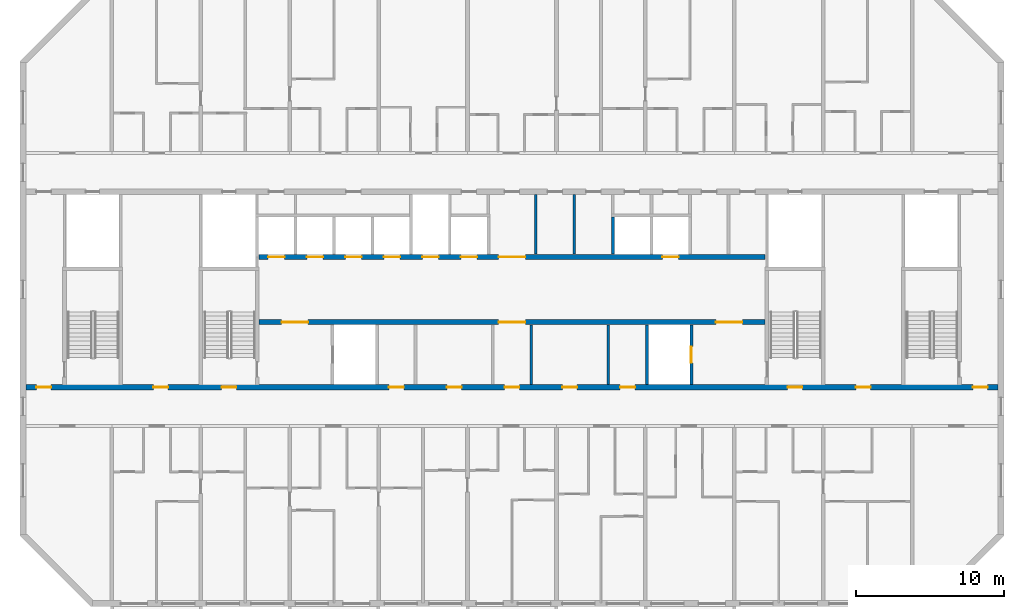
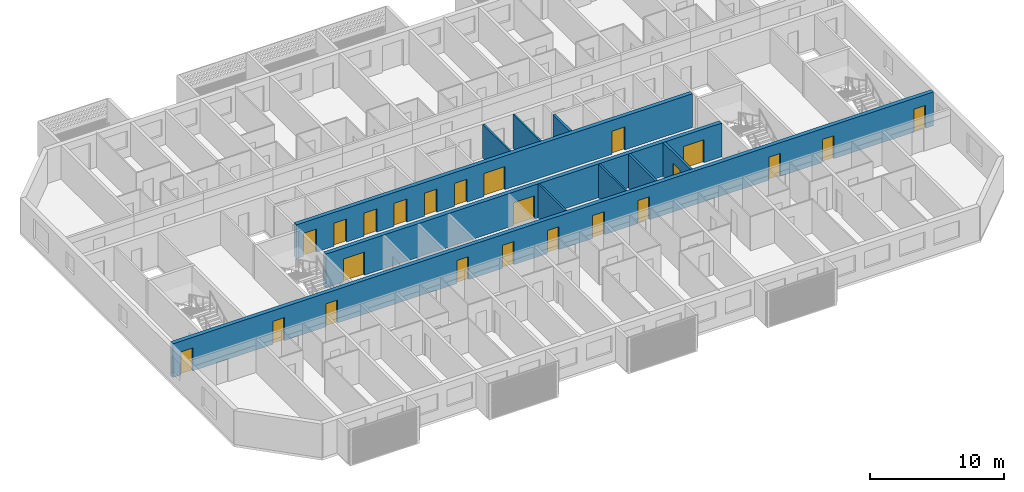
# One storey, part 6 of 29: 23 doors, 10 walls, 23 openings.
"""IFC4 building model written with IfcOpenShell, lengths in metres."""

from ifc_helpers import new_model, si_unit, direction, frame, frame_2d, origin, place, context, subcontext, project, spatial, rectangle, extrude, material, layer, layer_set, type_object, element, fill, save


model = new_model("IFC4")

# Units and contexts
model_context = context("Model", 3, precision=1e-05, world=origin(), true_north=direction((0.0, 1.0)))
body_context = subcontext(model_context, "Body", "Model", "MODEL_VIEW")
ifc_project = project(units=[si_unit("LENGTHUNIT", "METRE"), si_unit("AREAUNIT", "SQUARE_METRE"), si_unit("VOLUMEUNIT", "CUBIC_METRE"), si_unit("PLANEANGLEUNIT", "RADIAN"), si_unit("MASSUNIT", "GRAM", prefix="KILO")], contexts=[model_context])

# Site, building, storey
site_placement = place(None, origin())
site = spatial("IfcSite", under=ifc_project, at=site_placement, CompositionType="ELEMENT")
building_placement = place(site_placement, origin())
building = spatial("IfcBuilding", under=site, at=building_placement, Name="Poui Terraces", CompositionType="ELEMENT")
storey_placement = place(building_placement, frame((0.0, 0.0, 234.60009765625)))
storey = spatial("IfcBuildingStorey", under=building, at=storey_placement, Name="L65", CompositionType="ELEMENT", Elevation=234.60009765625)

# Wall, openings, doors
ifc_material_1 = material(Name="Concrete 50 MPa", Category="concrete")
ifc_layer_1 = layer(ifc_material_1, 0.35009765625)
ifc_layer_set_1 = layer_set([ifc_layer_1], Name="Concrete 50 MPa")
wall_type_1 = type_object("IfcWallType", Name="CORE WALL 350 50 MPA", PredefinedType="SOLIDWALL", material=ifc_layer_set_1)
wall_1_placement = place(storey_placement, frame((33.925048828125, 19.0, 0.0), z_axis=(0.0, 0.0, 1.0), x_axis=(1.0, 0.0, 0.0)))
wall_1 = element("IfcWall", 1, at=wall_1_placement, inside=storey, type_object=wall_type_1, Name="CORE WALL", PredefinedType="SOLIDWALL", context=body_context, shape_type="SweptSolid", body=[
    extrude(rectangle(XDim=34.14990234375, YDim=0.35009765625, at=frame_2d((17.074951171875, 0.0))), origin(), (0.0, 0.0, 1.0), 3.079833984375),
])
opening_1_placement = place(wall_1_placement, frame((16.175048828125, 0.0, 0.0)))
opening_1 = element("IfcOpeningElement", 2, at=opening_1_placement, cuts=wall_1, Name="Opening FDD60", PredefinedType="OPENING", context=body_context, shape_type="SweptSolid", body=[
    extrude(rectangle(XDim=1.800048828125, YDim=2.10009765625, at=frame_2d((0.89990234375, 1.050048828125))), frame((0.0, 0.18505859375, 0.0), z_axis=(0.0, -1.0, 0.0), x_axis=(1.0, 0.0, 0.0)), (0.0, 0.0, 1.0), 0.3701171875),
])
opening_2_placement = place(wall_1_placement, frame((1.52490234375, 0.0, 0.0)))
opening_2 = element("IfcOpeningElement", 3, at=opening_2_placement, cuts=wall_1, Name="Opening FDD60", PredefinedType="OPENING", context=body_context, shape_type="SweptSolid", body=[
    extrude(rectangle(XDim=1.800048828125, YDim=2.10009765625, at=frame_2d((0.89990234375, 1.050048828125))), frame((0.0, 0.18505859375, 0.0), z_axis=(0.0, -1.0, 0.0), x_axis=(1.0, 0.0, 0.0)), (0.0, 0.0, 1.0), 0.3701171875),
])
opening_3_placement = place(wall_1_placement, frame((30.824951171875, 0.0, 0.0)))
opening_3 = element("IfcOpeningElement", 4, at=opening_3_placement, cuts=wall_1, Name="Opening FDD60", PredefinedType="OPENING", context=body_context, shape_type="SweptSolid", body=[
    extrude(rectangle(XDim=1.800048828125, YDim=2.10009765625, at=frame_2d((0.89990234375, 1.050048828125))), frame((0.0, 0.18505859375, 0.0), z_axis=(0.0, -1.0, 0.0), x_axis=(1.0, 0.0, 0.0)), (0.0, 0.0, 1.0), 0.3701171875),
])
ifc_material_2 = material(Name="Steel fire door", Category="steel")
door_type_1 = type_object("IfcDoorType", Name="DOUBLE LOBBY FIRE DOOR 1800 X 2100", OperationType="DOUBLE_DOOR_SINGLE_SWING", PredefinedType="DOOR", material=ifc_material_2)
door_1_placement = place(opening_1_placement, frame((1.800048828125, 0.0, 0.0), z_axis=(0.0, 0.0, 1.0), x_axis=(-1.0, 0.0, 0.0)))
door_1 = element("IfcDoor", 5, at=door_1_placement, inside=storey, type_object=door_type_1, Name="DOUBLE LOBBY FIRE DOOR 105", OperationType="DOUBLE_DOOR_SINGLE_SWING", OverallHeight=2.10009765625, OverallWidth=1.800048828125, PredefinedType="DOOR", context=body_context, shape_type="SweptSolid", body=[
    extrude(rectangle(XDim=1.800048828125, YDim=2.10009765625, at=frame_2d((0.89990234375, 1.050048828125))), frame((0.0, 0.02490234375, 0.0), z_axis=(0.0, -1.0, 0.0), x_axis=(1.0, 0.0, 0.0)), (0.0, 0.0, 1.0), 0.050048828125),
])
fill(opening_1, door_1)
door_2_placement = place(opening_2_placement, origin())
door_2 = element("IfcDoor", 6, at=door_2_placement, inside=storey, type_object=door_type_1, Name="DOUBLE LOBBY FIRE DOOR 107", OperationType="DOUBLE_DOOR_SINGLE_SWING", OverallHeight=2.10009765625, OverallWidth=1.800048828125, PredefinedType="DOOR", context=body_context, shape_type="SweptSolid", body=[
    extrude(rectangle(XDim=1.800048828125, YDim=2.10009765625, at=frame_2d((0.89990234375, 1.050048828125))), frame((0.0, 0.02490234375, 0.0), z_axis=(0.0, -1.0, 0.0), x_axis=(1.0, 0.0, 0.0)), (0.0, 0.0, 1.0), 0.050048828125),
])
fill(opening_2, door_2)
door_3_placement = place(opening_3_placement, origin())
door_3 = element("IfcDoor", 7, at=door_3_placement, inside=storey, type_object=door_type_1, Name="DOUBLE LOBBY FIRE DOOR 114", OperationType="DOUBLE_DOOR_SINGLE_SWING", OverallHeight=2.10009765625, OverallWidth=1.800048828125, PredefinedType="DOOR", context=body_context, shape_type="SweptSolid", body=[
    extrude(rectangle(XDim=1.800048828125, YDim=2.10009765625, at=frame_2d((0.89990234375, 1.050048828125))), frame((0.0, 0.02490234375, 0.0), z_axis=(0.0, -1.0, 0.0), x_axis=(1.0, 0.0, 0.0)), (0.0, 0.0, 1.0), 0.050048828125),
])
fill(opening_3, door_3)

wall_2_placement = place(storey_placement, frame((33.925048828125, 23.39990234375, 0.0), z_axis=(0.0, 0.0, 1.0), x_axis=(1.0, 0.0, 0.0)))
wall_2 = element("IfcWall", 8, at=wall_2_placement, inside=storey, type_object=wall_type_1, Name="CORE WALL", PredefinedType="SOLIDWALL", context=body_context, shape_type="SweptSolid", body=[
    extrude(rectangle(XDim=34.14990234375, YDim=0.35009765625, at=frame_2d((17.074951171875, 0.0))), origin(), (0.0, 0.0, 1.0), 3.079833984375),
])
opening_4_placement = place(wall_2_placement, frame((16.175048828125, 0.0, 0.0)))
opening_4 = element("IfcOpeningElement", 9, at=opening_4_placement, cuts=wall_2, Name="Opening FDD60", PredefinedType="OPENING", context=body_context, shape_type="SweptSolid", body=[
    extrude(rectangle(XDim=1.800048828125, YDim=2.10009765625, at=frame_2d((0.89990234375, 1.050048828125))), frame((0.0, 0.18505859375, 0.0), z_axis=(0.0, -1.0, 0.0), x_axis=(1.0, 0.0, 0.0)), (0.0, 0.0, 1.0), 0.3701171875),
])
opening_5_placement = place(wall_2_placement, frame((0.625, 0.0, 0.0)))
opening_5 = element("IfcOpeningElement", 10, at=opening_5_placement, cuts=wall_2, Name="Opening LD", PredefinedType="OPENING", context=body_context, shape_type="SweptSolid", body=[
    extrude(rectangle(XDim=1.10009765625, YDim=2.10009765625, at=frame_2d((0.550048828125, 1.050048828125))), frame((0.0, 0.18505859375, 0.0), z_axis=(0.0, -1.0, 0.0), x_axis=(1.0, 0.0, 0.0)), (0.0, 0.0, 1.0), 0.3701171875),
])
opening_6_placement = place(wall_2_placement, frame((3.22509765625, 0.0, 0.0)))
opening_6 = element("IfcOpeningElement", 11, at=opening_6_placement, cuts=wall_2, Name="Opening LD", PredefinedType="OPENING", context=body_context, shape_type="SweptSolid", body=[
    extrude(rectangle(XDim=1.10009765625, YDim=2.10009765625, at=frame_2d((0.550048828125, 1.050048828125))), frame((0.0, 0.18505859375, 0.0), z_axis=(0.0, -1.0, 0.0), x_axis=(1.0, 0.0, 0.0)), (0.0, 0.0, 1.0), 0.3701171875),
])
opening_7_placement = place(wall_2_placement, frame((5.824951171875, 0.0, 0.0)))
opening_7 = element("IfcOpeningElement", 12, at=opening_7_placement, cuts=wall_2, Name="Opening LD", PredefinedType="OPENING", context=body_context, shape_type="SweptSolid", body=[
    extrude(rectangle(XDim=1.10009765625, YDim=2.10009765625, at=frame_2d((0.550048828125, 1.050048828125))), frame((0.0, 0.18505859375, 0.0), z_axis=(0.0, -1.0, 0.0), x_axis=(1.0, 0.0, 0.0)), (0.0, 0.0, 1.0), 0.3701171875),
])
opening_8_placement = place(wall_2_placement, frame((8.425048828125, 0.0, 0.0)))
opening_8 = element("IfcOpeningElement", 13, at=opening_8_placement, cuts=wall_2, Name="Opening LD", PredefinedType="OPENING", context=body_context, shape_type="SweptSolid", body=[
    extrude(rectangle(XDim=1.10009765625, YDim=2.10009765625, at=frame_2d((0.550048828125, 1.050048828125))), frame((0.0, 0.18505859375, 0.0), z_axis=(0.0, -1.0, 0.0), x_axis=(1.0, 0.0, 0.0)), (0.0, 0.0, 1.0), 0.3701171875),
])
opening_9_placement = place(wall_2_placement, frame((11.02490234375, 0.0, 0.0)))
opening_9 = element("IfcOpeningElement", 14, at=opening_9_placement, cuts=wall_2, Name="Opening LD", PredefinedType="OPENING", context=body_context, shape_type="SweptSolid", body=[
    extrude(rectangle(XDim=1.10009765625, YDim=2.10009765625, at=frame_2d((0.550048828125, 1.050048828125))), frame((0.0, 0.18505859375, 0.0), z_axis=(0.0, -1.0, 0.0), x_axis=(1.0, 0.0, 0.0)), (0.0, 0.0, 1.0), 0.3701171875),
])
opening_10_placement = place(wall_2_placement, frame((13.625, 0.0, 0.0)))
opening_10 = element("IfcOpeningElement", 15, at=opening_10_placement, cuts=wall_2, Name="Opening LD", PredefinedType="OPENING", context=body_context, shape_type="SweptSolid", body=[
    extrude(rectangle(XDim=1.10009765625, YDim=2.10009765625, at=frame_2d((0.550048828125, 1.050048828125))), frame((0.0, 0.18505859375, 0.0), z_axis=(0.0, -1.0, 0.0), x_axis=(1.0, 0.0, 0.0)), (0.0, 0.0, 1.0), 0.3701171875),
])
opening_11_placement = place(wall_2_placement, frame((27.22509765625, 0.0, 0.0)))
opening_11 = element("IfcOpeningElement", 16, at=opening_11_placement, cuts=wall_2, Name="Opening LD", PredefinedType="OPENING", context=body_context, shape_type="SweptSolid", body=[
    extrude(rectangle(XDim=1.10009765625, YDim=2.10009765625, at=frame_2d((0.550048828125, 1.050048828125))), frame((0.0, 0.18505859375, 0.0), z_axis=(0.0, -1.0, 0.0), x_axis=(1.0, 0.0, 0.0)), (0.0, 0.0, 1.0), 0.3701171875),
])
door_4_placement = place(opening_4_placement, origin())
door_4 = element("IfcDoor", 17, at=door_4_placement, inside=storey, type_object=door_type_1, Name="DOUBLE LOBBY FIRE DOOR 104", OperationType="DOUBLE_DOOR_SINGLE_SWING", OverallHeight=2.10009765625, OverallWidth=1.800048828125, PredefinedType="DOOR", context=body_context, shape_type="SweptSolid", body=[
    extrude(rectangle(XDim=1.800048828125, YDim=2.10009765625, at=frame_2d((0.89990234375, 1.050048828125))), frame((0.0, 0.02490234375, 0.0), z_axis=(0.0, -1.0, 0.0), x_axis=(1.0, 0.0, 0.0)), (0.0, 0.0, 1.0), 0.050048828125),
])
fill(opening_4, door_4)
ifc_material_3 = material(Name="Stainless steel sliding door", Category="steel")
door_type_2 = type_object("IfcDoorType", Name="LIFT LANDING DOOR 1100 X 2100", OperationType="DOUBLE_DOOR_SLIDING", PredefinedType="DOOR", material=ifc_material_3)
door_5_placement = place(opening_5_placement, origin())
door_5 = element("IfcDoor", 18, at=door_5_placement, inside=storey, type_object=door_type_2, Name="LANDING DOOR", OperationType="DOUBLE_DOOR_SLIDING", OverallHeight=2.10009765625, OverallWidth=1.10009765625, PredefinedType="DOOR", context=body_context, shape_type="SweptSolid", body=[
    extrude(rectangle(XDim=1.10009765625, YDim=2.10009765625, at=frame_2d((0.550048828125, 1.050048828125))), frame((0.0, 0.02490234375, 0.0), z_axis=(0.0, -1.0, 0.0), x_axis=(1.0, 0.0, 0.0)), (0.0, 0.0, 1.0), 0.050048828125),
])
fill(opening_5, door_5)
door_6_placement = place(opening_6_placement, origin())
door_6 = element("IfcDoor", 19, at=door_6_placement, inside=storey, type_object=door_type_2, Name="LANDING DOOR", OperationType="DOUBLE_DOOR_SLIDING", OverallHeight=2.10009765625, OverallWidth=1.10009765625, PredefinedType="DOOR", context=body_context, shape_type="SweptSolid", body=[
    extrude(rectangle(XDim=1.10009765625, YDim=2.10009765625, at=frame_2d((0.550048828125, 1.050048828125))), frame((0.0, 0.02490234375, 0.0), z_axis=(0.0, -1.0, 0.0), x_axis=(1.0, 0.0, 0.0)), (0.0, 0.0, 1.0), 0.050048828125),
])
fill(opening_6, door_6)
door_7_placement = place(opening_7_placement, origin())
door_7 = element("IfcDoor", 20, at=door_7_placement, inside=storey, type_object=door_type_2, Name="LANDING DOOR", OperationType="DOUBLE_DOOR_SLIDING", OverallHeight=2.10009765625, OverallWidth=1.10009765625, PredefinedType="DOOR", context=body_context, shape_type="SweptSolid", body=[
    extrude(rectangle(XDim=1.10009765625, YDim=2.10009765625, at=frame_2d((0.550048828125, 1.050048828125))), frame((0.0, 0.02490234375, 0.0), z_axis=(0.0, -1.0, 0.0), x_axis=(1.0, 0.0, 0.0)), (0.0, 0.0, 1.0), 0.050048828125),
])
fill(opening_7, door_7)
door_8_placement = place(opening_8_placement, origin())
door_8 = element("IfcDoor", 21, at=door_8_placement, inside=storey, type_object=door_type_2, Name="LANDING DOOR", OperationType="DOUBLE_DOOR_SLIDING", OverallHeight=2.10009765625, OverallWidth=1.10009765625, PredefinedType="DOOR", context=body_context, shape_type="SweptSolid", body=[
    extrude(rectangle(XDim=1.10009765625, YDim=2.10009765625, at=frame_2d((0.550048828125, 1.050048828125))), frame((0.0, 0.02490234375, 0.0), z_axis=(0.0, -1.0, 0.0), x_axis=(1.0, 0.0, 0.0)), (0.0, 0.0, 1.0), 0.050048828125),
])
fill(opening_8, door_8)
door_9_placement = place(opening_9_placement, origin())
door_9 = element("IfcDoor", 22, at=door_9_placement, inside=storey, type_object=door_type_2, Name="LANDING DOOR", OperationType="DOUBLE_DOOR_SLIDING", OverallHeight=2.10009765625, OverallWidth=1.10009765625, PredefinedType="DOOR", context=body_context, shape_type="SweptSolid", body=[
    extrude(rectangle(XDim=1.10009765625, YDim=2.10009765625, at=frame_2d((0.550048828125, 1.050048828125))), frame((0.0, 0.02490234375, 0.0), z_axis=(0.0, -1.0, 0.0), x_axis=(1.0, 0.0, 0.0)), (0.0, 0.0, 1.0), 0.050048828125),
])
fill(opening_9, door_9)
door_10_placement = place(opening_10_placement, origin())
door_10 = element("IfcDoor", 23, at=door_10_placement, inside=storey, type_object=door_type_2, Name="LANDING DOOR", OperationType="DOUBLE_DOOR_SLIDING", OverallHeight=2.10009765625, OverallWidth=1.10009765625, PredefinedType="DOOR", context=body_context, shape_type="SweptSolid", body=[
    extrude(rectangle(XDim=1.10009765625, YDim=2.10009765625, at=frame_2d((0.550048828125, 1.050048828125))), frame((0.0, 0.02490234375, 0.0), z_axis=(0.0, -1.0, 0.0), x_axis=(1.0, 0.0, 0.0)), (0.0, 0.0, 1.0), 0.050048828125),
])
fill(opening_10, door_10)
door_11_placement = place(opening_11_placement, origin())
door_11 = element("IfcDoor", 24, at=door_11_placement, inside=storey, type_object=door_type_2, Name="LANDING DOOR", OperationType="DOUBLE_DOOR_SLIDING", OverallHeight=2.10009765625, OverallWidth=1.10009765625, PredefinedType="DOOR", context=body_context, shape_type="SweptSolid", body=[
    extrude(rectangle(XDim=1.10009765625, YDim=2.10009765625, at=frame_2d((0.550048828125, 1.050048828125))), frame((0.0, 0.02490234375, 0.0), z_axis=(0.0, -1.0, 0.0), x_axis=(1.0, 0.0, 0.0)), (0.0, 0.0, 1.0), 0.050048828125),
])
fill(opening_11, door_11)

# Walls
ifc_material_4 = material(Name="Fire-rated plasterboard wall")
ifc_layer_2 = layer(ifc_material_4, 0.14990234375)
ifc_layer_set_2 = layer_set([ifc_layer_2], Name="Fire-rated plasterboard wall")
wall_type_2 = type_object("IfcWallType", Name="CORRIDOR WALL 150", PredefinedType="PARTITIONING", material=ifc_layer_set_2)
for number, where, z_axis, x_axis, name in (
    (25, (52.300048828125, 14.784912109375, 0.0), (0.0, 0.0, 1.0), (0.0, 1.0, 0.0), "CORRIDOR WALL 150"),
    (26, (52.60009765625, 23.5849609375, 0.0), (0.0, 0.0, 1.0), (0.0, 1.0, 0.0), "CORRIDOR WALL 150"),
):
    element("IfcWall", number, at=place(storey_placement, frame(where, z_axis=z_axis, x_axis=x_axis)), inside=storey, type_object=wall_type_2, Name=name, PredefinedType="PARTITIONING", context=body_context, shape_type="SweptSolid", body=[
        extrude(rectangle(XDim=4.030029296875, YDim=0.14990234375, at=frame_2d((2.01513671875, 0.0))), origin(), (0.0, 0.0, 1.0), 3.079833984375),
    ])
ifc_material_5 = material(Name="Plasterboard partition")
ifc_layer_3 = layer(ifc_material_5, 0.14990234375)
ifc_layer_set_3 = layer_set([ifc_layer_3], Name="Plasterboard partition")
wall_type_3 = type_object("IfcWallType", Name="PARTITION WALL 150", PredefinedType="PARTITIONING", material=ifc_layer_set_3)
for number, where, z_axis, x_axis, name in (
    (27, (55.199951171875, 23.5849609375, 0.0), (0.0, 0.0, 1.0), (0.0, 1.0, 0.0), "PARTITION WALL 150"),
    (28, (57.5, 14.784912109375, 0.0), (0.0, 0.0, 1.0), (0.0, 1.0, 0.0), "PARTITION WALL 150"),
):
    element("IfcWall", number, at=place(storey_placement, frame(where, z_axis=z_axis, x_axis=x_axis)), inside=storey, type_object=wall_type_3, Name=name, PredefinedType="PARTITIONING", context=body_context, shape_type="SweptSolid", body=[
        extrude(rectangle(XDim=4.030029296875, YDim=0.14990234375, at=frame_2d((2.01513671875, 0.0))), origin(), (0.0, 0.0, 1.0), 3.079833984375),
    ])
ifc_material_6 = material(Name="Fire-rated masonry shaft wall", Category="masonry")
ifc_layer_4 = layer(ifc_material_6, 0.199951171875)
ifc_layer_set_4 = layer_set([ifc_layer_4], Name="Fire-rated masonry shaft wall")
wall_type_4 = type_object("IfcWallType", Name="SHAFT WALL 200", PredefinedType="PARTITIONING", material=ifc_layer_set_4)
wall_3_placement = place(storey_placement, frame((57.800048828125, 23.5849609375, 0.0), z_axis=(0.0, 0.0, 1.0), x_axis=(0.0, 1.0, 0.0)))
element("IfcWall", 29, at=wall_3_placement, inside=storey, type_object=wall_type_4, Name="SHAFT WALL 200", PredefinedType="PARTITIONING", context=body_context, shape_type="SweptSolid", body=[
    extrude(rectangle(XDim=2.51513671875, YDim=0.199951171875, at=frame_2d((1.257568359375, 0.0))), origin(), (0.0, 0.0, 1.0), 3.079833984375),
])
wall_4_placement = place(storey_placement, frame((60.10009765625, 14.784912109375, 0.0), z_axis=(0.0, 0.0, 1.0), x_axis=(0.0, 1.0, 0.0)))
element("IfcWall", 30, at=wall_4_placement, inside=storey, type_object=wall_type_4, Name="SHAFT WALL 200", PredefinedType="PARTITIONING", context=body_context, shape_type="SweptSolid", body=[
    extrude(rectangle(XDim=4.030029296875, YDim=0.199951171875, at=frame_2d((2.01513671875, 0.0))), origin(), (0.0, 0.0, 1.0), 3.079833984375),
])

# Wall, opening, door
wall_5_placement = place(storey_placement, frame((63.10009765625, 14.784912109375, 0.0), z_axis=(0.0, 0.0, 1.0), x_axis=(0.0, 1.0, 0.0)))
wall_5 = element("IfcWall", 31, at=wall_5_placement, inside=storey, type_object=wall_type_4, Name="SHAFT WALL 200", PredefinedType="PARTITIONING", context=body_context, shape_type="SweptSolid", body=[
    extrude(rectangle(XDim=4.030029296875, YDim=0.199951171875, at=frame_2d((2.01513671875, 0.0))), origin(), (0.0, 0.0, 1.0), 3.079833984375),
])
opening_12_placement = place(wall_5_placement, frame((1.465087890625, 0.0, 0.0)))
opening_12 = element("IfcOpeningElement", 32, at=opening_12_placement, cuts=wall_5, Name="Opening LD", PredefinedType="OPENING", context=body_context, shape_type="SweptSolid", body=[
    extrude(rectangle(XDim=1.10009765625, YDim=2.10009765625, at=frame_2d((0.550048828125, 1.050048828125))), frame((0.0, 0.10986328125, 0.0), z_axis=(0.0, -1.0, 0.0), x_axis=(1.0, 0.0, 0.0)), (0.0, 0.0, 1.0), 0.219970703125),
])
door_12_placement = place(opening_12_placement, origin())
door_12 = element("IfcDoor", 33, at=door_12_placement, inside=storey, type_object=door_type_2, Name="LANDING DOOR", OperationType="DOUBLE_DOOR_SLIDING", OverallHeight=2.10009765625, OverallWidth=1.10009765625, PredefinedType="DOOR", context=body_context, shape_type="SweptSolid", body=[
    extrude(rectangle(XDim=1.10009765625, YDim=2.10009765625, at=frame_2d((0.550048828125, 1.050048828125))), frame((0.0, 0.02490234375, 0.0), z_axis=(0.0, -1.0, 0.0), x_axis=(1.0, 0.0, 0.0)), (0.0, 0.0, 1.0), 0.050048828125),
])
fill(opening_12, door_12)

# Wall, openings, doors
ifc_layer_5 = layer(ifc_material_1, 0.35009765625)
ifc_layer_set_5 = layer_set([ifc_layer_5], Name="Concrete 50 MPa")
wall_type_5 = type_object("IfcWallType", Name="SPINE WALL 350 50 MPA", PredefinedType="SOLIDWALL", material=ifc_layer_set_5)
wall_6_placement = place(storey_placement, frame((18.199951171875, 14.60009765625, 0.0), z_axis=(0.0, 0.0, 1.0), x_axis=(1.0, 0.0, 0.0)))
wall_6 = element("IfcWall", 34, at=wall_6_placement, inside=storey, type_object=wall_type_5, Name="SPINE WALL", PredefinedType="SOLIDWALL", context=body_context, shape_type="SweptSolid", body=[
    extrude(rectangle(XDim=65.60009765625, YDim=0.35009765625, at=frame_2d((32.800048828125, 0.0))), origin(), (0.0, 0.0, 1.0), 3.079833984375),
])
opening_13_placement = place(wall_6_placement, frame((0.699951171875, 0.0, 0.0)))
opening_13 = element("IfcOpeningElement", 35, at=opening_13_placement, cuts=wall_6, Name="Opening FDL", PredefinedType="OPENING", context=body_context, shape_type="SweptSolid", body=[
    extrude(rectangle(XDim=1.0, YDim=2.10009765625, at=frame_2d((0.5, 1.050048828125))), frame((0.0, 0.18505859375, 0.0), z_axis=(0.0, -1.0, 0.0), x_axis=(1.0, 0.0, 0.0)), (0.0, 0.0, 1.0), 0.3701171875),
])
opening_14_placement = place(wall_6_placement, frame((8.60009765625, 0.0, 0.0)))
opening_14 = element("IfcOpeningElement", 36, at=opening_14_placement, cuts=wall_6, Name="Opening D100", PredefinedType="OPENING", context=body_context, shape_type="SweptSolid", body=[
    extrude(rectangle(XDim=1.0, YDim=2.10009765625, at=frame_2d((0.5, 1.050048828125))), frame((0.0, 0.18505859375, 0.0), z_axis=(0.0, -1.0, 0.0), x_axis=(1.0, 0.0, 0.0)), (0.0, 0.0, 1.0), 0.3701171875),
])
opening_15_placement = place(wall_6_placement, frame((13.199951171875, 0.0, 0.0)))
opening_15 = element("IfcOpeningElement", 37, at=opening_15_placement, cuts=wall_6, Name="Opening FD60S", PredefinedType="OPENING", context=body_context, shape_type="SweptSolid", body=[
    extrude(rectangle(XDim=1.0, YDim=2.10009765625, at=frame_2d((0.5, 1.050048828125))), frame((0.0, 0.18505859375, 0.0), z_axis=(0.0, -1.0, 0.0), x_axis=(1.0, 0.0, 0.0)), (0.0, 0.0, 1.0), 0.3701171875),
])
opening_16_placement = place(wall_6_placement, frame((24.5, 0.0, 0.0)))
opening_16 = element("IfcOpeningElement", 38, at=opening_16_placement, cuts=wall_6, Name="Opening FD60", PredefinedType="OPENING", context=body_context, shape_type="SweptSolid", body=[
    extrude(rectangle(XDim=1.0, YDim=2.10009765625, at=frame_2d((0.5, 1.050048828125))), frame((0.0, 0.18505859375, 0.0), z_axis=(0.0, -1.0, 0.0), x_axis=(1.0, 0.0, 0.0)), (0.0, 0.0, 1.0), 0.3701171875),
])
opening_17_placement = place(wall_6_placement, frame((28.39990234375, 0.0, 0.0)))
opening_17 = element("IfcOpeningElement", 39, at=opening_17_placement, cuts=wall_6, Name="Opening FD60", PredefinedType="OPENING", context=body_context, shape_type="SweptSolid", body=[
    extrude(rectangle(XDim=1.0, YDim=2.10009765625, at=frame_2d((0.5, 1.050048828125))), frame((0.0, 0.18505859375, 0.0), z_axis=(0.0, -1.0, 0.0), x_axis=(1.0, 0.0, 0.0)), (0.0, 0.0, 1.0), 0.3701171875),
])
opening_18_placement = place(wall_6_placement, frame((32.300048828125, 0.0, 0.0)))
opening_18 = element("IfcOpeningElement", 40, at=opening_18_placement, cuts=wall_6, Name="Opening FDL", PredefinedType="OPENING", context=body_context, shape_type="SweptSolid", body=[
    extrude(rectangle(XDim=1.0, YDim=2.10009765625, at=frame_2d((0.5, 1.050048828125))), frame((0.0, 0.18505859375, 0.0), z_axis=(0.0, -1.0, 0.0), x_axis=(1.0, 0.0, 0.0)), (0.0, 0.0, 1.0), 0.3701171875),
])
opening_19_placement = place(wall_6_placement, frame((36.199951171875, 0.0, 0.0)))
opening_19 = element("IfcOpeningElement", 41, at=opening_19_placement, cuts=wall_6, Name="Opening FD60", PredefinedType="OPENING", context=body_context, shape_type="SweptSolid", body=[
    extrude(rectangle(XDim=1.0, YDim=2.10009765625, at=frame_2d((0.5, 1.050048828125))), frame((0.0, 0.18505859375, 0.0), z_axis=(0.0, -1.0, 0.0), x_axis=(1.0, 0.0, 0.0)), (0.0, 0.0, 1.0), 0.3701171875),
])
opening_20_placement = place(wall_6_placement, frame((40.10009765625, 0.0, 0.0)))
opening_20 = element("IfcOpeningElement", 42, at=opening_20_placement, cuts=wall_6, Name="Opening FD60", PredefinedType="OPENING", context=body_context, shape_type="SweptSolid", body=[
    extrude(rectangle(XDim=1.0, YDim=2.10009765625, at=frame_2d((0.5, 1.050048828125))), frame((0.0, 0.18505859375, 0.0), z_axis=(0.0, -1.0, 0.0), x_axis=(1.0, 0.0, 0.0)), (0.0, 0.0, 1.0), 0.3701171875),
])
opening_21_placement = place(wall_6_placement, frame((51.39990234375, 0.0, 0.0)))
opening_21 = element("IfcOpeningElement", 43, at=opening_21_placement, cuts=wall_6, Name="Opening FD60S", PredefinedType="OPENING", context=body_context, shape_type="SweptSolid", body=[
    extrude(rectangle(XDim=1.0, YDim=2.10009765625, at=frame_2d((0.5, 1.050048828125))), frame((0.0, 0.18505859375, 0.0), z_axis=(0.0, -1.0, 0.0), x_axis=(1.0, 0.0, 0.0)), (0.0, 0.0, 1.0), 0.3701171875),
])
opening_22_placement = place(wall_6_placement, frame((56.0, 0.0, 0.0)))
opening_22 = element("IfcOpeningElement", 44, at=opening_22_placement, cuts=wall_6, Name="Opening D100", PredefinedType="OPENING", context=body_context, shape_type="SweptSolid", body=[
    extrude(rectangle(XDim=1.0, YDim=2.10009765625, at=frame_2d((0.5, 1.050048828125))), frame((0.0, 0.18505859375, 0.0), z_axis=(0.0, -1.0, 0.0), x_axis=(1.0, 0.0, 0.0)), (0.0, 0.0, 1.0), 0.3701171875),
])
opening_23_placement = place(wall_6_placement, frame((63.89990234375, 0.0, 0.0)))
opening_23 = element("IfcOpeningElement", 45, at=opening_23_placement, cuts=wall_6, Name="Opening FDL", PredefinedType="OPENING", context=body_context, shape_type="SweptSolid", body=[
    extrude(rectangle(XDim=1.0, YDim=2.10009765625, at=frame_2d((0.5, 1.050048828125))), frame((0.0, 0.18505859375, 0.0), z_axis=(0.0, -1.0, 0.0), x_axis=(1.0, 0.0, 0.0)), (0.0, 0.0, 1.0), 0.3701171875),
])
ifc_material_7 = material(Name="Solid core timber door", Category="wood")
door_type_3 = type_object("IfcDoorType", Name="ACCESSIBLE INTERNAL DOOR 1000 X 2100", OperationType="NOTDEFINED", PredefinedType="DOOR", material=ifc_material_7)
door_13_placement = place(opening_14_placement, frame((1.0, 0.0, 0.0), z_axis=(0.0, 0.0, 1.0), x_axis=(-1.0, 0.0, 0.0)))
door_13 = element("IfcDoor", 46, at=door_13_placement, inside=storey, type_object=door_type_3, Name="ACCESSIBLE INTERNAL DOOR 018", OperationType="SINGLE_SWING_RIGHT", OverallHeight=2.10009765625, OverallWidth=1.0, PredefinedType="DOOR", context=body_context, shape_type="SweptSolid", body=[
    extrude(rectangle(XDim=1.0, YDim=2.10009765625, at=frame_2d((0.5, 1.050048828125))), frame((0.0, 0.02490234375, 0.0), z_axis=(0.0, -1.0, 0.0), x_axis=(1.0, 0.0, 0.0)), (0.0, 0.0, 1.0), 0.050048828125),
])
fill(opening_14, door_13)
door_14_placement = place(opening_22_placement, frame((1.0, 0.0, 0.0), z_axis=(0.0, 0.0, 1.0), x_axis=(-1.0, 0.0, 0.0)))
door_14 = element("IfcDoor", 47, at=door_14_placement, inside=storey, type_object=door_type_3, Name="ACCESSIBLE INTERNAL DOOR 026", OperationType="SINGLE_SWING_LEFT", OverallHeight=2.10009765625, OverallWidth=1.0, PredefinedType="DOOR", context=body_context, shape_type="SweptSolid", body=[
    extrude(rectangle(XDim=1.0, YDim=2.10009765625, at=frame_2d((0.5, 1.050048828125))), frame((0.0, 0.02490234375, 0.0), z_axis=(0.0, -1.0, 0.0), x_axis=(1.0, 0.0, 0.0)), (0.0, 0.0, 1.0), 0.050048828125),
])
fill(opening_22, door_14)
door_type_4 = type_object("IfcDoorType", Name="LOBBY FIRE DOOR 1000 X 2100", OperationType="NOTDEFINED", PredefinedType="DOOR", material=ifc_material_2)
door_15_placement = place(opening_13_placement, frame((1.0, 0.0, 0.0), z_axis=(0.0, 0.0, 1.0), x_axis=(-1.0, 0.0, 0.0)))
door_15 = element("IfcDoor", 48, at=door_15_placement, inside=storey, type_object=door_type_4, Name="LOBBY FIRE DOOR 017", OperationType="SINGLE_SWING_RIGHT", OverallHeight=2.10009765625, OverallWidth=1.0, PredefinedType="DOOR", context=body_context, shape_type="SweptSolid", body=[
    extrude(rectangle(XDim=1.0, YDim=2.10009765625, at=frame_2d((0.5, 1.050048828125))), frame((0.0, 0.02490234375, 0.0), z_axis=(0.0, -1.0, 0.0), x_axis=(1.0, 0.0, 0.0)), (0.0, 0.0, 1.0), 0.050048828125),
])
fill(opening_13, door_15)
door_16_placement = place(opening_18_placement, frame((1.0, 0.0, 0.0), z_axis=(0.0, 0.0, 1.0), x_axis=(-1.0, 0.0, 0.0)))
door_16 = element("IfcDoor", 49, at=door_16_placement, inside=storey, type_object=door_type_4, Name="LOBBY FIRE DOOR 022", OperationType="SINGLE_SWING_LEFT", OverallHeight=2.10009765625, OverallWidth=1.0, PredefinedType="DOOR", context=body_context, shape_type="SweptSolid", body=[
    extrude(rectangle(XDim=1.0, YDim=2.10009765625, at=frame_2d((0.5, 1.050048828125))), frame((0.0, 0.02490234375, 0.0), z_axis=(0.0, -1.0, 0.0), x_axis=(1.0, 0.0, 0.0)), (0.0, 0.0, 1.0), 0.050048828125),
])
fill(opening_18, door_16)
door_17_placement = place(opening_23_placement, frame((1.0, 0.0, 0.0), z_axis=(0.0, 0.0, 1.0), x_axis=(-1.0, 0.0, 0.0)))
door_17 = element("IfcDoor", 50, at=door_17_placement, inside=storey, type_object=door_type_4, Name="LOBBY FIRE DOOR 027", OperationType="SINGLE_SWING_LEFT", OverallHeight=2.10009765625, OverallWidth=1.0, PredefinedType="DOOR", context=body_context, shape_type="SweptSolid", body=[
    extrude(rectangle(XDim=1.0, YDim=2.10009765625, at=frame_2d((0.5, 1.050048828125))), frame((0.0, 0.02490234375, 0.0), z_axis=(0.0, -1.0, 0.0), x_axis=(1.0, 0.0, 0.0)), (0.0, 0.0, 1.0), 0.050048828125),
])
fill(opening_23, door_17)
door_type_5 = type_object("IfcDoorType", Name="SERVICE ROOM FIRE DOOR 1000 X 2100", OperationType="NOTDEFINED", PredefinedType="DOOR", material=ifc_material_2)
door_18_placement = place(opening_16_placement, frame((1.0, 0.0, 0.0), z_axis=(0.0, 0.0, 1.0), x_axis=(-1.0, 0.0, 0.0)))
door_18 = element("IfcDoor", 51, at=door_18_placement, inside=storey, type_object=door_type_5, Name="SERVICE ROOM FIRE DOOR 020", OperationType="SINGLE_SWING_LEFT", OverallHeight=2.10009765625, OverallWidth=1.0, PredefinedType="DOOR", context=body_context, shape_type="SweptSolid", body=[
    extrude(rectangle(XDim=1.0, YDim=2.10009765625, at=frame_2d((0.5, 1.050048828125))), frame((0.0, 0.02490234375, 0.0), z_axis=(0.0, -1.0, 0.0), x_axis=(1.0, 0.0, 0.0)), (0.0, 0.0, 1.0), 0.050048828125),
])
fill(opening_16, door_18)
door_19_placement = place(opening_17_placement, frame((1.0, 0.0, 0.0), z_axis=(0.0, 0.0, 1.0), x_axis=(-1.0, 0.0, 0.0)))
door_19 = element("IfcDoor", 52, at=door_19_placement, inside=storey, type_object=door_type_5, Name="SERVICE ROOM FIRE DOOR 021", OperationType="SINGLE_SWING_RIGHT", OverallHeight=2.10009765625, OverallWidth=1.0, PredefinedType="DOOR", context=body_context, shape_type="SweptSolid", body=[
    extrude(rectangle(XDim=1.0, YDim=2.10009765625, at=frame_2d((0.5, 1.050048828125))), frame((0.0, 0.02490234375, 0.0), z_axis=(0.0, -1.0, 0.0), x_axis=(1.0, 0.0, 0.0)), (0.0, 0.0, 1.0), 0.050048828125),
])
fill(opening_17, door_19)
door_20_placement = place(opening_19_placement, frame((1.0, 0.0, 0.0), z_axis=(0.0, 0.0, 1.0), x_axis=(-1.0, 0.0, 0.0)))
door_20 = element("IfcDoor", 53, at=door_20_placement, inside=storey, type_object=door_type_5, Name="SERVICE ROOM FIRE DOOR 023", OperationType="SINGLE_SWING_LEFT", OverallHeight=2.10009765625, OverallWidth=1.0, PredefinedType="DOOR", context=body_context, shape_type="SweptSolid", body=[
    extrude(rectangle(XDim=1.0, YDim=2.10009765625, at=frame_2d((0.5, 1.050048828125))), frame((0.0, 0.02490234375, 0.0), z_axis=(0.0, -1.0, 0.0), x_axis=(1.0, 0.0, 0.0)), (0.0, 0.0, 1.0), 0.050048828125),
])
fill(opening_19, door_20)
door_21_placement = place(opening_20_placement, frame((1.0, 0.0, 0.0), z_axis=(0.0, 0.0, 1.0), x_axis=(-1.0, 0.0, 0.0)))
door_21 = element("IfcDoor", 54, at=door_21_placement, inside=storey, type_object=door_type_5, Name="SERVICE ROOM FIRE DOOR 024", OperationType="SINGLE_SWING_RIGHT", OverallHeight=2.10009765625, OverallWidth=1.0, PredefinedType="DOOR", context=body_context, shape_type="SweptSolid", body=[
    extrude(rectangle(XDim=1.0, YDim=2.10009765625, at=frame_2d((0.5, 1.050048828125))), frame((0.0, 0.02490234375, 0.0), z_axis=(0.0, -1.0, 0.0), x_axis=(1.0, 0.0, 0.0)), (0.0, 0.0, 1.0), 0.050048828125),
])
fill(opening_20, door_21)
door_type_6 = type_object("IfcDoorType", Name="STAIR DOOR 1000 X 2100", OperationType="NOTDEFINED", PredefinedType="DOOR", material=ifc_material_2)
door_22_placement = place(opening_15_placement, origin())
door_22 = element("IfcDoor", 55, at=door_22_placement, inside=storey, type_object=door_type_6, Name="STAIR DOOR 019", OperationType="SINGLE_SWING_RIGHT", OverallHeight=2.10009765625, OverallWidth=1.0, PredefinedType="DOOR", context=body_context, shape_type="SweptSolid", body=[
    extrude(rectangle(XDim=1.0, YDim=2.10009765625, at=frame_2d((0.5, 1.050048828125))), frame((0.0, 0.02490234375, 0.0), z_axis=(0.0, -1.0, 0.0), x_axis=(1.0, 0.0, 0.0)), (0.0, 0.0, 1.0), 0.050048828125),
])
fill(opening_15, door_22)
door_23_placement = place(opening_21_placement, origin())
door_23 = element("IfcDoor", 56, at=door_23_placement, inside=storey, type_object=door_type_6, Name="STAIR DOOR 025", OperationType="SINGLE_SWING_RIGHT", OverallHeight=2.10009765625, OverallWidth=1.0, PredefinedType="DOOR", context=body_context, shape_type="SweptSolid", body=[
    extrude(rectangle(XDim=1.0, YDim=2.10009765625, at=frame_2d((0.5, 1.050048828125))), frame((0.0, 0.02490234375, 0.0), z_axis=(0.0, -1.0, 0.0), x_axis=(1.0, 0.0, 0.0)), (0.0, 0.0, 1.0), 0.050048828125),
])
fill(opening_21, door_23)

save(model, "model.ifc")
